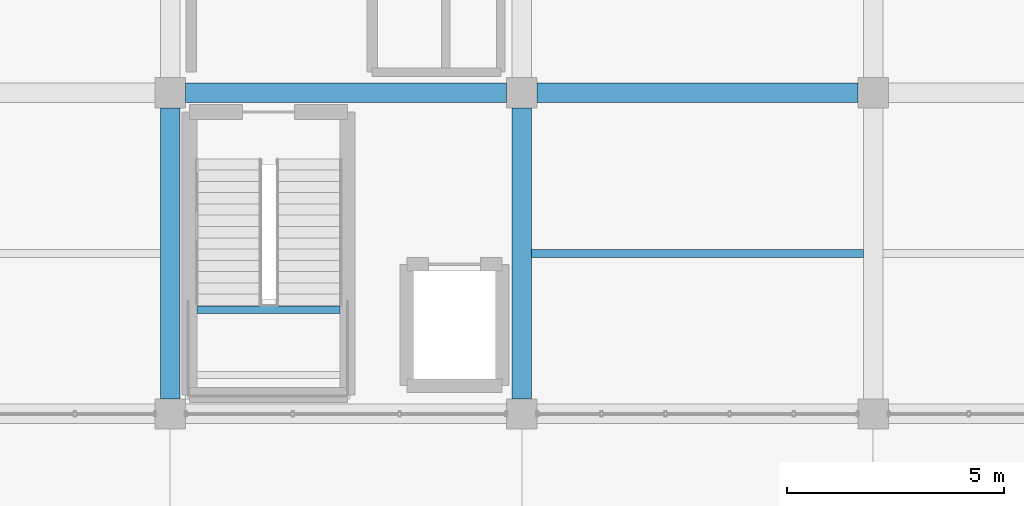
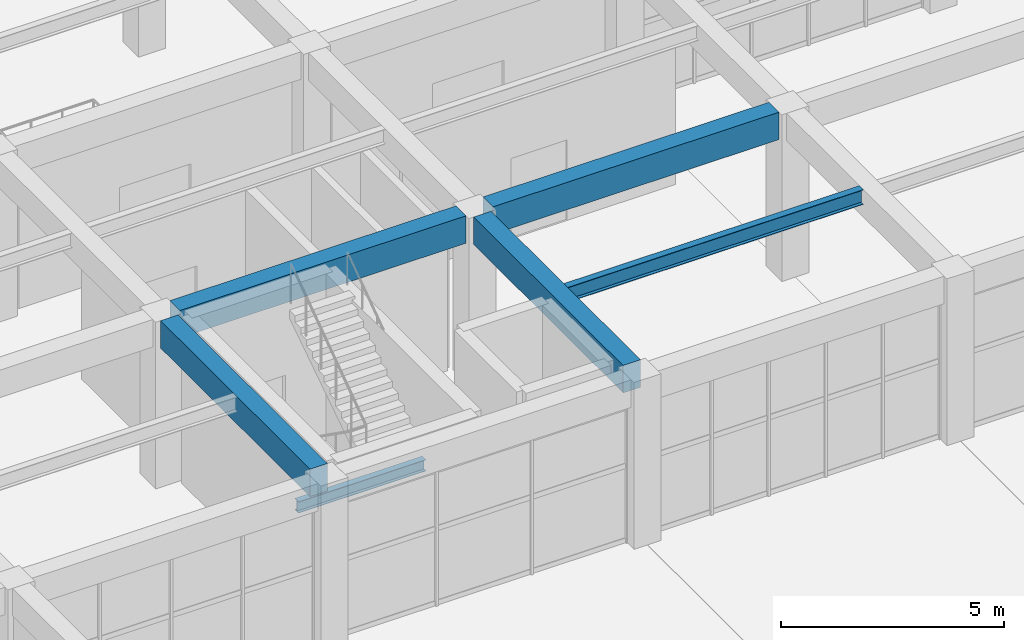
# One storey, part 8 of 161: 6 beams.
"""IFC4 building model written with IfcOpenShell, lengths in metres."""

from ifc_helpers import new_model, si_unit, direction, frame, origin, origin_2d, place, context, subcontext, project, spatial, rectangle, i_section, extrude, material, material_profile, profile_set, type_object, element, save


model = new_model("IFC4")

# Units and contexts
model_context = context("Model", 3, precision=1e-05, world=origin(), true_north=direction((0.0, 1.0)))
body_context = subcontext(model_context, "Body", "Model", "MODEL_VIEW")
ifc_project = project(units=[si_unit("LENGTHUNIT", "METRE"), si_unit("AREAUNIT", "SQUARE_METRE"), si_unit("VOLUMEUNIT", "CUBIC_METRE"), si_unit("PLANEANGLEUNIT", "RADIAN"), si_unit("MASSUNIT", "GRAM", prefix="KILO")], contexts=[model_context])

# Site, building, storey
site_placement = place(None, origin())
site = spatial("IfcSite", under=ifc_project, at=site_placement, CompositionType="ELEMENT")
building_placement = place(site_placement, origin())
building = spatial("IfcBuilding", under=site, at=building_placement, Name="Cimatlan Art Gallery", CompositionType="ELEMENT")
storey_placement = place(building_placement, frame((0.0, 0.0, 5.39990234375)))
storey = spatial("IfcBuildingStorey", under=building, at=storey_placement, Name="L01", CompositionType="ELEMENT", Elevation=5.39990234375)

# Beams
ifc_material_1 = material(Name="Concrete C40/50", Category="concrete")
ifc_material_profile_1 = material_profile(ifc_material_1, rectangle(XDim=0.449951171875, YDim=0.75, at=origin_2d()), Name="RC450X750")
ifc_profile_set_1 = profile_set([ifc_material_profile_1], Name="Concrete C40/50")
beam_type_1 = type_object("IfcBeamType", Name="BM-RC-450X750", PredefinedType="BEAM", material=ifc_profile_set_1)
for number, where, z_axis, x_axis, name in (
    (1, (34.39990234375, 24.25, 4.18505859375), (0.0, 1.0, 0.0), (-1.0, 0.0, 0.0), "BM-Y-L01-04-03"),
    (2, (42.5, 24.25, 4.18505859375), (0.0, 1.0, 0.0), (-1.0, 0.0, 0.0), "BM-Y-L01-05-03"),
):
    element("IfcBeam", number, at=place(storey_placement, frame(where, z_axis=z_axis, x_axis=x_axis)), inside=storey, type_object=beam_type_1, Name=name, PredefinedType="BEAM", context=body_context, shape_type="SweptSolid", body=[
        extrude(rectangle(XDim=0.449951171875, YDim=0.75, at=origin_2d()), origin(), (0.0, 0.0, 1.0), 6.699951171875),
    ])
for number, where, z_axis, x_axis, name in (
    (3, (34.75, 31.300048828125, 4.18505859375), (1.0, 0.0, 0.0), (0.0, 1.0, 0.0), "BM-X-L01-04-04"),
    (4, (42.85009765625, 31.300048828125, 4.18505859375), (1.0, 0.0, 0.0), (0.0, 1.0, 0.0), "BM-X-L01-05-04"),
):
    element("IfcBeam", number, at=place(storey_placement, frame(where, z_axis=z_axis, x_axis=x_axis)), inside=storey, type_object=beam_type_1, Name=name, PredefinedType="BEAM", context=body_context, shape_type="SweptSolid", body=[
        extrude(rectangle(XDim=0.449951171875, YDim=0.75, at=origin_2d()), origin(), (0.0, 0.0, 1.0), 7.39990234375),
    ])
ifc_material_2 = material(Name="Steel ASTM A992 Grade 50", Category="steel")
ifc_material_profile_2 = material_profile(ifc_material_2, i_section(OverallWidth=0.1650390625, OverallDepth=0.31005859375, WebThickness=0.005859375, FlangeThickness=0.009765625, at=origin_2d()), Name="W12X26")
ifc_profile_set_2 = profile_set([ifc_material_profile_2], Name="Steel ASTM A992 Grade 50")
beam_type_2 = type_object("IfcBeamType", Name="BM-STL-W12X26", PredefinedType="JOIST", material=ifc_profile_set_2)
beam_1_placement = place(storey_placement, frame((35.014892578125, 26.300048828125, 2.025146484375), z_axis=(1.0, 0.0, 0.0), x_axis=(0.0, 1.0, 0.0)))
element("IfcBeam", 5, at=beam_1_placement, inside=storey, type_object=beam_type_2, Name="BM-STR-C2-L01-LH2", PredefinedType="JOIST", context=body_context, shape_type="SweptSolid", body=[
    extrude(i_section(OverallWidth=0.1650390625, OverallDepth=0.31005859375, WebThickness=0.005859375, FlangeThickness=0.009765625, at=origin_2d()), origin(), (0.0, 0.0, 1.0), 3.2900390625),
])
ifc_material_profile_3 = material_profile(ifc_material_2, i_section(OverallWidth=0.177978515625, OverallDepth=0.406982421875, WebThickness=0.0078125, FlangeThickness=0.0126953125, at=origin_2d()), Name="W16X40")
ifc_profile_set_3 = profile_set([ifc_material_profile_3], Name="Steel ASTM A992 Grade 50")
beam_type_3 = type_object("IfcBeamType", Name="BM-STL-W16X40", PredefinedType="JOIST", material=ifc_profile_set_3)
beam_2_placement = place(storey_placement, frame((42.72509765625, 27.60009765625, 4.356689453125), z_axis=(1.0, 0.0, 0.0), x_axis=(0.0, 1.0, 0.0)))
element("IfcBeam", 6, at=beam_2_placement, inside=storey, type_object=beam_type_3, Name="JST-L01-05-03", PredefinedType="JOIST", context=body_context, shape_type="SweptSolid", body=[
    extrude(i_section(OverallWidth=0.177978515625, OverallDepth=0.406982421875, WebThickness=0.0078125, FlangeThickness=0.0126953125, at=origin_2d()), origin(), (0.0, 0.0, 1.0), 7.64990234375),
])

save(model, "model.ifc")
